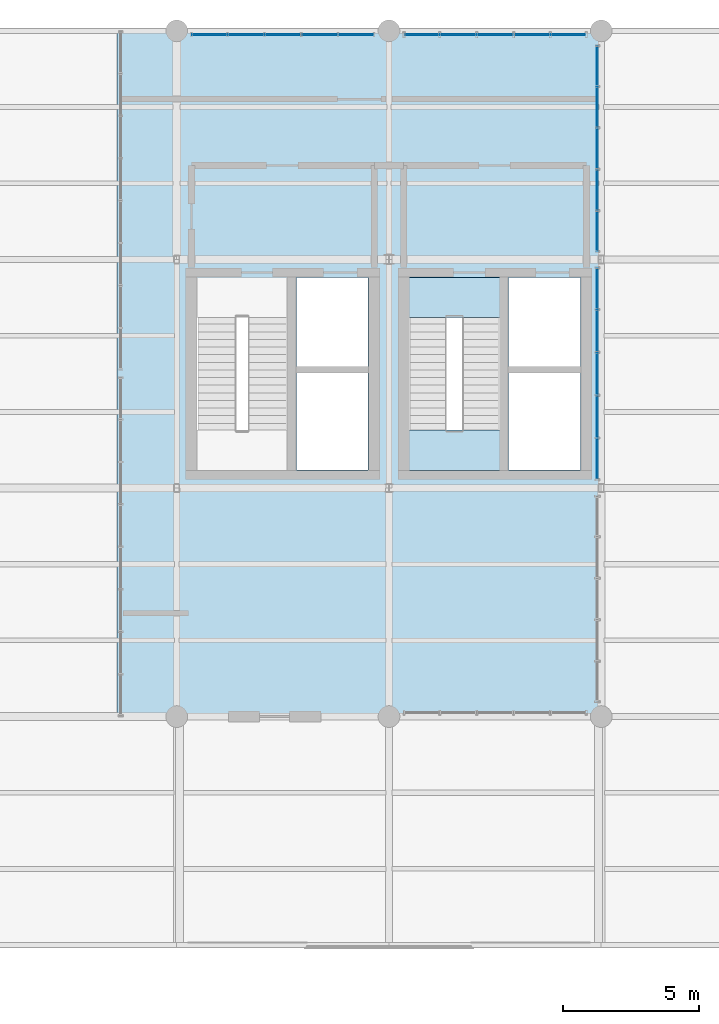
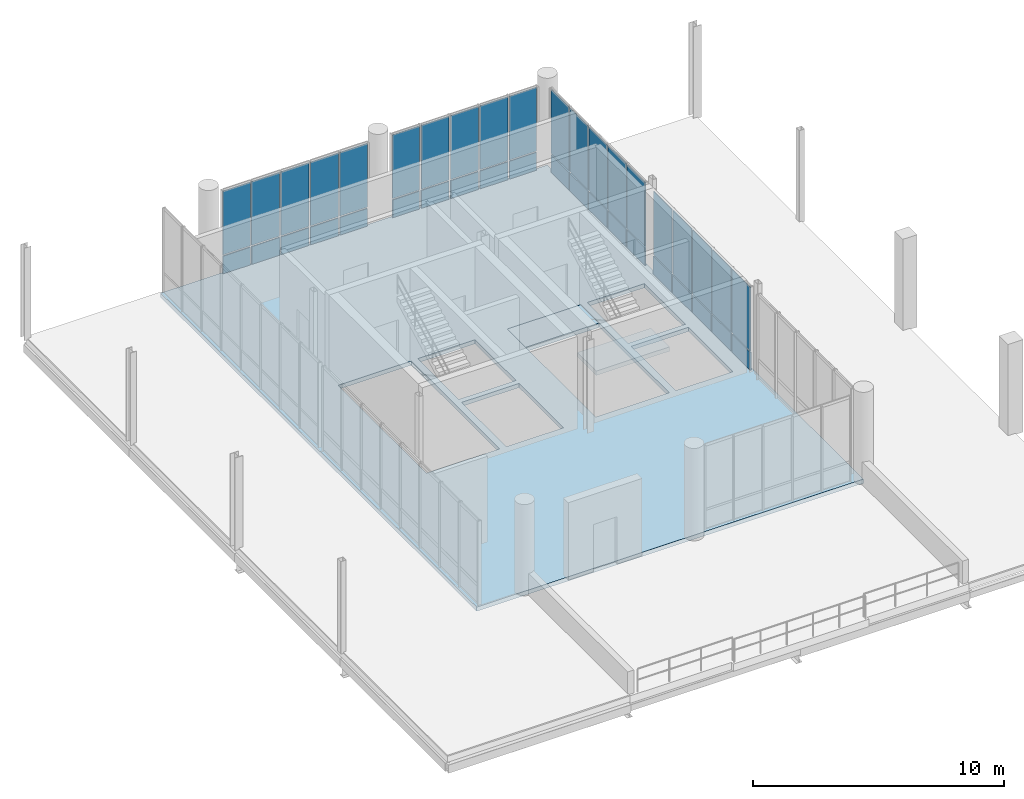
# One storey, part 56 of 68: 40 plates, 3 slabs, 5 elements without a shape of their own.
"""IFC4 building model written with IfcOpenShell, lengths in metres."""

from ifc_helpers import new_model, si_unit, direction, frame, frame_2d, origin_with_axes, place, context, subcontext, project, spatial, polyline, rectangle, outline, extrude, material, layer, layer_set, type_object, element, aggregate, save


model = new_model("IFC4")

# Units and contexts
model_context = context("Model", 3, precision=1e-05, world=origin_with_axes(), true_north=direction((0.0, 1.0)))
body_context = subcontext(model_context, "Body", "Model", "MODEL_VIEW")
ifc_project = project(units=[si_unit("LENGTHUNIT", "METRE"), si_unit("AREAUNIT", "SQUARE_METRE"), si_unit("VOLUMEUNIT", "CUBIC_METRE"), si_unit("PLANEANGLEUNIT", "RADIAN"), si_unit("MASSUNIT", "GRAM", prefix="KILO"), si_unit("THERMODYNAMICTEMPERATUREUNIT", "KELVIN")], contexts=[model_context])

# Site, building, storey
site_placement = place(None, origin_with_axes())
site = spatial("IfcSite", under=ifc_project, at=site_placement, CompositionType="ELEMENT")
building_placement = place(site_placement, origin_with_axes())
building = spatial("IfcBuilding", under=site, at=building_placement, Name="Montbau Bow Law Courts", CompositionType="ELEMENT")
storey_placement = place(building_placement, frame((0.0, 0.0, 20.4), z_axis=(0.0, 0.0, 1.0), x_axis=(1.0, 0.0, 0.0)))
storey = spatial("IfcBuildingStorey", under=building, at=storey_placement, Name="L04", CompositionType="ELEMENT", Elevation=20.4)

# Curtain wall, plates
ifc_material_1 = material(Name="Thermally Broken Extruded Aluminium AA 6063-T6", Category="aluminium")
curtain_wall_type = type_object("IfcCurtainWallType", Name="CW-NCK-01", PredefinedType="NOTDEFINED", material=ifc_material_1)
curtain_wall_1_placement = place(None, frame((147.515, 103.06, 20.4), z_axis=(0.0, 0.0, 1.0), x_axis=(1.0, 0.0, 0.0)))
curtain_wall_1 = element("IfcCurtainWall", 1, at=curtain_wall_1_placement, inside=storey, type_object=curtain_wall_type, Name="CW-L04-326:cw_0326", PredefinedType="NOTDEFINED")
ifc_material_2 = material(Name="Insulated Ceramic-Frit Spandrel Glazing Unit", Category="glass")
ifc_layer_1 = layer(ifc_material_2, 0.056, Name="Curtain Panel", Category="glass")
ifc_layer_set_1 = layer_set([ifc_layer_1], Name="Insulated Ceramic-Frit Spandrel Glazing Unit")
plate_type_1 = type_object("IfcPlateType", Name="PL-CWP-02", PredefinedType="CURTAIN_PANEL", material=ifc_layer_set_1)
plate_1_placement = place(None, frame((147.577, 103.06, 20.462), z_axis=(0.0, -1.0, 0.0), x_axis=(1.0, 0.0, 0.0)))
plate_1 = element("IfcPlate", 2, at=plate_1_placement, type_object=plate_type_1, Name="CW-L04-326-P01-1:cw_0326_P01_1", PredefinedType="CURTAIN_PANEL", context=body_context, shape_type="SweptSolid", body=[
    extrude(rectangle(XDim=1.26, YDim=0.856, at=frame_2d((0.63, 0.428), x_axis=(1.0, 0.0))), frame((0.0, 0.0, -0.028), z_axis=(0.0, 0.0, 1.0), x_axis=(1.0, 0.0, 0.0)), (0.0, 0.0, 1.0), 0.056),
])
plate_2_placement = place(None, frame((148.901, 103.06, 20.462), z_axis=(0.0, -1.0, 0.0), x_axis=(1.0, 0.0, 0.0)))
plate_2 = element("IfcPlate", 3, at=plate_2_placement, type_object=plate_type_1, Name="CW-L04-326-P02-1:cw_0326_P02_1", PredefinedType="CURTAIN_PANEL", context=body_context, shape_type="SweptSolid", body=[
    extrude(rectangle(XDim=1.29, YDim=0.856, at=frame_2d((0.645, 0.428), x_axis=(1.0, 0.0))), frame((0.0, 0.0, -0.028), z_axis=(0.0, 0.0, 1.0), x_axis=(1.0, 0.0, 0.0)), (0.0, 0.0, 1.0), 0.056),
])
plate_3_placement = place(None, frame((150.255, 103.06, 20.462), z_axis=(0.0, -1.0, 0.0), x_axis=(1.0, 0.0, 0.0)))
plate_3 = element("IfcPlate", 4, at=plate_3_placement, type_object=plate_type_1, Name="CW-L04-326-P03-1:cw_0326_P03_1", PredefinedType="CURTAIN_PANEL", context=body_context, shape_type="SweptSolid", body=[
    extrude(rectangle(XDim=1.29, YDim=0.856, at=frame_2d((0.645, 0.428), x_axis=(1.0, 0.0))), frame((0.0, 0.0, -0.028), z_axis=(0.0, 0.0, 1.0), x_axis=(1.0, 0.0, 0.0)), (0.0, 0.0, 1.0), 0.056),
])
plate_4_placement = place(None, frame((151.609, 103.06, 20.462), z_axis=(0.0, -1.0, 0.0), x_axis=(1.0, 0.0, 0.0)))
plate_4 = element("IfcPlate", 5, at=plate_4_placement, type_object=plate_type_1, Name="CW-L04-326-P04-1:cw_0326_P04_1", PredefinedType="CURTAIN_PANEL", context=body_context, shape_type="SweptSolid", body=[
    extrude(rectangle(XDim=1.29, YDim=0.856, at=frame_2d((0.645, 0.428), x_axis=(1.0, 0.0))), frame((0.0, 0.0, -0.028), z_axis=(0.0, 0.0, 1.0), x_axis=(1.0, 0.0, 0.0)), (0.0, 0.0, 1.0), 0.056),
])
plate_5_placement = place(None, frame((152.963, 103.06, 20.462), z_axis=(0.0, -1.0, 0.0), x_axis=(1.0, 0.0, 0.0)))
plate_5 = element("IfcPlate", 6, at=plate_5_placement, type_object=plate_type_1, Name="CW-L04-326-P05-1:cw_0326_P05_1", PredefinedType="CURTAIN_PANEL", context=body_context, shape_type="SweptSolid", body=[
    extrude(rectangle(XDim=1.26, YDim=0.856, at=frame_2d((0.63, 0.428), x_axis=(1.0, 0.0))), frame((0.0, 0.0, -0.028), z_axis=(0.0, 0.0, 1.0), x_axis=(1.0, 0.0, 0.0)), (0.0, 0.0, 1.0), 0.056),
])

curtain_wall_2_placement = place(None, frame((155.315, 103.06, 20.4), z_axis=(0.0, 0.0, 1.0), x_axis=(1.0, 0.0, 0.0)))
curtain_wall_2 = element("IfcCurtainWall", 7, at=curtain_wall_2_placement, inside=storey, type_object=curtain_wall_type, Name="CW-L04-327:cw_0327", PredefinedType="NOTDEFINED")
plate_6_placement = place(None, frame((155.391, 103.06, 20.456), z_axis=(0.0, -1.0, 0.0), x_axis=(1.0, 0.0, 0.0)))
plate_6 = element("IfcPlate", 8, at=plate_6_placement, type_object=plate_type_1, Name="CW-L04-327-P01-1:cw_0327_P01_1", PredefinedType="CURTAIN_PANEL", context=body_context, shape_type="SweptSolid", body=[
    extrude(rectangle(XDim=1.239, YDim=0.865, at=frame_2d((0.6195, 0.4325), x_axis=(1.0, 0.0))), frame((0.0, 0.0, -0.028), z_axis=(0.0, 0.0, 1.0), x_axis=(1.0, 0.0, 0.0)), (0.0, 0.0, 1.0), 0.056),
])
plate_7_placement = place(None, frame((156.709, 103.06, 20.456), z_axis=(0.0, -1.0, 0.0), x_axis=(1.0, 0.0, 0.0)))
plate_7 = element("IfcPlate", 9, at=plate_7_placement, type_object=plate_type_1, Name="CW-L04-327-P02-1:cw_0327_P02_1", PredefinedType="CURTAIN_PANEL", context=body_context, shape_type="SweptSolid", body=[
    extrude(rectangle(XDim=1.275, YDim=0.865, at=frame_2d((0.6375, 0.4325), x_axis=(1.0, 0.0))), frame((0.0, 0.0, -0.028), z_axis=(0.0, 0.0, 1.0), x_axis=(1.0, 0.0, 0.0)), (0.0, 0.0, 1.0), 0.056),
])
plate_8_placement = place(None, frame((158.063, 103.06, 20.456), z_axis=(0.0, -1.0, 0.0), x_axis=(1.0, 0.0, 0.0)))
plate_8 = element("IfcPlate", 10, at=plate_8_placement, type_object=plate_type_1, Name="CW-L04-327-P03-1:cw_0327_P03_1", PredefinedType="CURTAIN_PANEL", context=body_context, shape_type="SweptSolid", body=[
    extrude(rectangle(XDim=1.275, YDim=0.865, at=frame_2d((0.6375, 0.4325), x_axis=(1.0, 0.0))), frame((0.0, 0.0, -0.028), z_axis=(0.0, 0.0, 1.0), x_axis=(1.0, 0.0, 0.0)), (0.0, 0.0, 1.0), 0.056),
])
plate_9_placement = place(None, frame((159.416, 103.06, 20.456), z_axis=(0.0, -1.0, 0.0), x_axis=(1.0, 0.0, 0.0)))
plate_9 = element("IfcPlate", 11, at=plate_9_placement, type_object=plate_type_1, Name="CW-L04-327-P04-1:cw_0327_P04_1", PredefinedType="CURTAIN_PANEL", context=body_context, shape_type="SweptSolid", body=[
    extrude(rectangle(XDim=1.276, YDim=0.865, at=frame_2d((0.638, 0.4325), x_axis=(1.0, 0.0))), frame((0.0, 0.0, -0.028), z_axis=(0.0, 0.0, 1.0), x_axis=(1.0, 0.0, 0.0)), (0.0, 0.0, 1.0), 0.056),
])
plate_10_placement = place(None, frame((160.77, 103.06, 20.456), z_axis=(0.0, -1.0, 0.0), x_axis=(1.0, 0.0, 0.0)))
plate_10 = element("IfcPlate", 12, at=plate_10_placement, type_object=plate_type_1, Name="CW-L04-327-P05-1:cw_0327_P05_1", PredefinedType="CURTAIN_PANEL", context=body_context, shape_type="SweptSolid", body=[
    extrude(rectangle(XDim=1.239, YDim=0.865, at=frame_2d((0.6195, 0.4325), x_axis=(1.0, 0.0))), frame((0.0, 0.0, -0.028), z_axis=(0.0, 0.0, 1.0), x_axis=(1.0, 0.0, 0.0)), (0.0, 0.0, 1.0), 0.056),
])

curtain_wall_3_placement = place(None, frame((162.46, 86.668, 20.4), z_axis=(0.0, 0.0, 1.0), x_axis=(1.0, 0.0, 0.0)))
curtain_wall_3 = element("IfcCurtainWall", 13, at=curtain_wall_3_placement, inside=storey, type_object=curtain_wall_type, Name="CW-L04-331:cw_0331", PredefinedType="NOTDEFINED")
plate_11_placement = place(None, frame((162.46, 86.736, 20.456), z_axis=(1.0, 0.0, 0.0), x_axis=(0.0, 1.0, 0.0)))
plate_11 = element("IfcPlate", 14, at=plate_11_placement, type_object=plate_type_1, Name="CW-L04-331-P01-1:cw_0331_P01_1", PredefinedType="CURTAIN_PANEL", context=body_context, shape_type="SweptSolid", body=[
    extrude(rectangle(XDim=1.47, YDim=0.865, at=frame_2d((0.735, 0.4325), x_axis=(1.0, 0.0))), frame((0.0, 0.0, -0.028), z_axis=(0.0, 0.0, 1.0), x_axis=(1.0, 0.0, 0.0)), (0.0, 0.0, 1.0), 0.056),
])
plate_12_placement = place(None, frame((162.46, 88.275, 20.456), z_axis=(1.0, 0.0, 0.0), x_axis=(0.0, 1.0, 0.0)))
plate_12 = element("IfcPlate", 15, at=plate_12_placement, type_object=plate_type_1, Name="CW-L04-331-P02-1:cw_0331_P02_1", PredefinedType="CURTAIN_PANEL", context=body_context, shape_type="SweptSolid", body=[
    extrude(rectangle(XDim=1.504, YDim=0.865, at=frame_2d((0.752, 0.4325), x_axis=(1.0, 0.0))), frame((0.0, 0.0, -0.028), z_axis=(0.0, 0.0, 1.0), x_axis=(1.0, 0.0, 0.0)), (0.0, 0.0, 1.0), 0.056),
])
plate_13_placement = place(None, frame((162.46, 89.848, 20.456), z_axis=(1.0, 0.0, 0.0), x_axis=(0.0, 1.0, 0.0)))
plate_13 = element("IfcPlate", 16, at=plate_13_placement, type_object=plate_type_1, Name="CW-L04-331-P03-1:cw_0331_P03_1", PredefinedType="CURTAIN_PANEL", context=body_context, shape_type="SweptSolid", body=[
    extrude(rectangle(XDim=1.504, YDim=0.865, at=frame_2d((0.752, 0.4325), x_axis=(1.0, 0.0))), frame((0.0, 0.0, -0.028), z_axis=(0.0, 0.0, 1.0), x_axis=(1.0, 0.0, 0.0)), (0.0, 0.0, 1.0), 0.056),
])
plate_14_placement = place(None, frame((162.46, 91.42, 20.456), z_axis=(1.0, 0.0, 0.0), x_axis=(0.0, 1.0, 0.0)))
plate_14 = element("IfcPlate", 17, at=plate_14_placement, type_object=plate_type_1, Name="CW-L04-331-P04-1:cw_0331_P04_1", PredefinedType="CURTAIN_PANEL", context=body_context, shape_type="SweptSolid", body=[
    extrude(rectangle(XDim=1.505, YDim=0.865, at=frame_2d((0.7525, 0.4325), x_axis=(1.0, 0.0))), frame((0.0, 0.0, -0.028), z_axis=(0.0, 0.0, 1.0), x_axis=(1.0, 0.0, 0.0)), (0.0, 0.0, 1.0), 0.056),
])
plate_15_placement = place(None, frame((162.46, 92.993, 20.456), z_axis=(1.0, 0.0, 0.0), x_axis=(0.0, 1.0, 0.0)))
plate_15 = element("IfcPlate", 18, at=plate_15_placement, type_object=plate_type_1, Name="CW-L04-331-P05-1:cw_0331_P05_1", PredefinedType="CURTAIN_PANEL", context=body_context, shape_type="SweptSolid", body=[
    extrude(rectangle(XDim=1.472, YDim=0.865, at=frame_2d((0.736, 0.4325), x_axis=(1.0, 0.0))), frame((0.0, 0.0, -0.028), z_axis=(0.0, 0.0, 1.0), x_axis=(1.0, 0.0, 0.0)), (0.0, 0.0, 1.0), 0.056),
])

curtain_wall_4_placement = place(None, frame((162.46, 95.067, 20.4), z_axis=(0.0, 0.0, 1.0), x_axis=(1.0, 0.0, 0.0)))
curtain_wall_4 = element("IfcCurtainWall", 19, at=curtain_wall_4_placement, inside=storey, type_object=curtain_wall_type, Name="CW-L04-332:cw_0332", PredefinedType="NOTDEFINED")
plate_16_placement = place(None, frame((162.46, 95.129, 20.462), z_axis=(1.0, 0.0, 0.0), x_axis=(0.0, 1.0, 0.0)))
plate_16 = element("IfcPlate", 20, at=plate_16_placement, type_object=plate_type_1, Name="CW-L04-332-P01-1:cw_0332_P01_1", PredefinedType="CURTAIN_PANEL", context=body_context, shape_type="SweptSolid", body=[
    extrude(rectangle(XDim=1.43, YDim=0.856, at=frame_2d((0.715, 0.428), x_axis=(1.0, 0.0))), frame((0.0, 0.0, -0.028), z_axis=(0.0, 0.0, 1.0), x_axis=(1.0, 0.0, 0.0)), (0.0, 0.0, 1.0), 0.056),
])
plate_17_placement = place(None, frame((162.46, 96.623, 20.462), z_axis=(1.0, 0.0, 0.0), x_axis=(0.0, 1.0, 0.0)))
plate_17 = element("IfcPlate", 21, at=plate_17_placement, type_object=plate_type_1, Name="CW-L04-332-P02-1:cw_0332_P02_1", PredefinedType="CURTAIN_PANEL", context=body_context, shape_type="SweptSolid", body=[
    extrude(rectangle(XDim=1.459, YDim=0.856, at=frame_2d((0.7295, 0.428), x_axis=(1.0, 0.0))), frame((0.0, 0.0, -0.028), z_axis=(0.0, 0.0, 1.0), x_axis=(1.0, 0.0, 0.0)), (0.0, 0.0, 1.0), 0.056),
])
plate_18_placement = place(None, frame((162.46, 98.146, 20.462), z_axis=(1.0, 0.0, 0.0), x_axis=(0.0, 1.0, 0.0)))
plate_18 = element("IfcPlate", 22, at=plate_18_placement, type_object=plate_type_1, Name="CW-L04-332-P03-1:cw_0332_P03_1", PredefinedType="CURTAIN_PANEL", context=body_context, shape_type="SweptSolid", body=[
    extrude(rectangle(XDim=1.46, YDim=0.856, at=frame_2d((0.73, 0.428), x_axis=(1.0, 0.0))), frame((0.0, 0.0, -0.028), z_axis=(0.0, 0.0, 1.0), x_axis=(1.0, 0.0, 0.0)), (0.0, 0.0, 1.0), 0.056),
])
plate_19_placement = place(None, frame((162.46, 99.67, 20.462), z_axis=(1.0, 0.0, 0.0), x_axis=(0.0, 1.0, 0.0)))
plate_19 = element("IfcPlate", 23, at=plate_19_placement, type_object=plate_type_1, Name="CW-L04-332-P04-1:cw_0332_P04_1", PredefinedType="CURTAIN_PANEL", context=body_context, shape_type="SweptSolid", body=[
    extrude(rectangle(XDim=1.459, YDim=0.856, at=frame_2d((0.7295, 0.428), x_axis=(1.0, 0.0))), frame((0.0, 0.0, -0.028), z_axis=(0.0, 0.0, 1.0), x_axis=(1.0, 0.0, 0.0)), (0.0, 0.0, 1.0), 0.056),
])
plate_20_placement = place(None, frame((162.46, 101.193, 20.462), z_axis=(1.0, 0.0, 0.0), x_axis=(0.0, 1.0, 0.0)))
plate_20 = element("IfcPlate", 24, at=plate_20_placement, type_object=plate_type_1, Name="CW-L04-332-P05-1:cw_0332_P05_1", PredefinedType="CURTAIN_PANEL", context=body_context, shape_type="SweptSolid", body=[
    extrude(rectangle(XDim=1.43, YDim=0.856, at=frame_2d((0.715, 0.428), x_axis=(1.0, 0.0))), frame((0.0, 0.0, -0.028), z_axis=(0.0, 0.0, 1.0), x_axis=(1.0, 0.0, 0.0)), (0.0, 0.0, 1.0), 0.056),
])

# Plate
ifc_material_3 = material(Name="Triple-Glazed Winter-Garden Vision Unit", Category="glass")
ifc_layer_2 = layer(ifc_material_3, 0.036, Name="Curtain Panel", Category="glass")
ifc_layer_set_2 = layer_set([ifc_layer_2], Name="Triple-Glazed Winter-Garden Vision Unit")
plate_type_2 = type_object("IfcPlateType", Name="PL-CWP-03", PredefinedType="CURTAIN_PANEL", material=ifc_layer_set_2)
plate_21_placement = place(None, frame((147.577, 103.06, 21.382), z_axis=(0.0, -1.0, 0.0), x_axis=(1.0, 0.0, 0.0)))
plate_21 = element("IfcPlate", 25, at=plate_21_placement, type_object=plate_type_2, Name="CW-L04-326-P01-2:cw_0326_P01_2", PredefinedType="CURTAIN_PANEL", context=body_context, shape_type="SweptSolid", body=[
    extrude(rectangle(XDim=1.26, YDim=3.096, at=frame_2d((0.63, 1.548), x_axis=(1.0, 0.0))), frame((0.0, 0.0, -0.018), z_axis=(0.0, 0.0, 1.0), x_axis=(1.0, 0.0, 0.0)), (0.0, 0.0, 1.0), 0.036),
])

plate_22_placement = place(None, frame((148.901, 103.06, 21.382), z_axis=(0.0, -1.0, 0.0), x_axis=(1.0, 0.0, 0.0)))
plate_22 = element("IfcPlate", 26, at=plate_22_placement, type_object=plate_type_2, Name="CW-L04-326-P02-2:cw_0326_P02_2", PredefinedType="CURTAIN_PANEL", context=body_context, shape_type="SweptSolid", body=[
    extrude(rectangle(XDim=1.29, YDim=3.096, at=frame_2d((0.645, 1.548), x_axis=(1.0, 0.0))), frame((0.0, 0.0, -0.018), z_axis=(0.0, 0.0, 1.0), x_axis=(1.0, 0.0, 0.0)), (0.0, 0.0, 1.0), 0.036),
])

plate_23_placement = place(None, frame((150.255, 103.06, 21.382), z_axis=(0.0, -1.0, 0.0), x_axis=(1.0, 0.0, 0.0)))
plate_23 = element("IfcPlate", 27, at=plate_23_placement, type_object=plate_type_2, Name="CW-L04-326-P03-2:cw_0326_P03_2", PredefinedType="CURTAIN_PANEL", context=body_context, shape_type="SweptSolid", body=[
    extrude(rectangle(XDim=1.29, YDim=3.096, at=frame_2d((0.645, 1.548), x_axis=(1.0, 0.0))), frame((0.0, 0.0, -0.018), z_axis=(0.0, 0.0, 1.0), x_axis=(1.0, 0.0, 0.0)), (0.0, 0.0, 1.0), 0.036),
])

plate_24_placement = place(None, frame((151.609, 103.06, 21.382), z_axis=(0.0, -1.0, 0.0), x_axis=(1.0, 0.0, 0.0)))
plate_24 = element("IfcPlate", 28, at=plate_24_placement, type_object=plate_type_2, Name="CW-L04-326-P04-2:cw_0326_P04_2", PredefinedType="CURTAIN_PANEL", context=body_context, shape_type="SweptSolid", body=[
    extrude(rectangle(XDim=1.29, YDim=3.096, at=frame_2d((0.645, 1.548), x_axis=(1.0, 0.0))), frame((0.0, 0.0, -0.018), z_axis=(0.0, 0.0, 1.0), x_axis=(1.0, 0.0, 0.0)), (0.0, 0.0, 1.0), 0.036),
])

plate_25_placement = place(None, frame((152.963, 103.06, 21.382), z_axis=(0.0, -1.0, 0.0), x_axis=(1.0, 0.0, 0.0)))
plate_25 = element("IfcPlate", 29, at=plate_25_placement, type_object=plate_type_2, Name="CW-L04-326-P05-2:cw_0326_P05_2", PredefinedType="CURTAIN_PANEL", context=body_context, shape_type="SweptSolid", body=[
    extrude(rectangle(XDim=1.26, YDim=3.096, at=frame_2d((0.63, 1.548), x_axis=(1.0, 0.0))), frame((0.0, 0.0, -0.018), z_axis=(0.0, 0.0, 1.0), x_axis=(1.0, 0.0, 0.0)), (0.0, 0.0, 1.0), 0.036),
])

aggregate(curtain_wall_1, [plate_1, plate_21, plate_2, plate_22, plate_3, plate_23, plate_4, plate_24, plate_5, plate_25])

plate_26_placement = place(None, frame((155.391, 103.06, 21.38), z_axis=(0.0, -1.0, 0.0), x_axis=(1.0, 0.0, 0.0)))
plate_26 = element("IfcPlate", 30, at=plate_26_placement, type_object=plate_type_2, Name="CW-L04-327-P01-2:cw_0327_P01_2", PredefinedType="CURTAIN_PANEL", context=body_context, shape_type="SweptSolid", body=[
    extrude(rectangle(XDim=1.239, YDim=3.103, at=frame_2d((0.6195, 1.5515), x_axis=(1.0, 0.0))), frame((0.0, 0.0, -0.018), z_axis=(0.0, 0.0, 1.0), x_axis=(1.0, 0.0, 0.0)), (0.0, 0.0, 1.0), 0.036),
])

plate_27_placement = place(None, frame((156.709, 103.06, 21.38), z_axis=(0.0, -1.0, 0.0), x_axis=(1.0, 0.0, 0.0)))
plate_27 = element("IfcPlate", 31, at=plate_27_placement, type_object=plate_type_2, Name="CW-L04-327-P02-2:cw_0327_P02_2", PredefinedType="CURTAIN_PANEL", context=body_context, shape_type="SweptSolid", body=[
    extrude(rectangle(XDim=1.275, YDim=3.103, at=frame_2d((0.6375, 1.5515), x_axis=(1.0, 0.0))), frame((0.0, 0.0, -0.018), z_axis=(0.0, 0.0, 1.0), x_axis=(1.0, 0.0, 0.0)), (0.0, 0.0, 1.0), 0.036),
])

plate_28_placement = place(None, frame((158.063, 103.06, 21.38), z_axis=(0.0, -1.0, 0.0), x_axis=(1.0, 0.0, 0.0)))
plate_28 = element("IfcPlate", 32, at=plate_28_placement, type_object=plate_type_2, Name="CW-L04-327-P03-2:cw_0327_P03_2", PredefinedType="CURTAIN_PANEL", context=body_context, shape_type="SweptSolid", body=[
    extrude(rectangle(XDim=1.275, YDim=3.103, at=frame_2d((0.6375, 1.5515), x_axis=(1.0, 0.0))), frame((0.0, 0.0, -0.018), z_axis=(0.0, 0.0, 1.0), x_axis=(1.0, 0.0, 0.0)), (0.0, 0.0, 1.0), 0.036),
])

plate_29_placement = place(None, frame((159.416, 103.06, 21.38), z_axis=(0.0, -1.0, 0.0), x_axis=(1.0, 0.0, 0.0)))
plate_29 = element("IfcPlate", 33, at=plate_29_placement, type_object=plate_type_2, Name="CW-L04-327-P04-2:cw_0327_P04_2", PredefinedType="CURTAIN_PANEL", context=body_context, shape_type="SweptSolid", body=[
    extrude(rectangle(XDim=1.276, YDim=3.103, at=frame_2d((0.638, 1.5515), x_axis=(1.0, 0.0))), frame((0.0, 0.0, -0.018), z_axis=(0.0, 0.0, 1.0), x_axis=(1.0, 0.0, 0.0)), (0.0, 0.0, 1.0), 0.036),
])

plate_30_placement = place(None, frame((160.77, 103.06, 21.38), z_axis=(0.0, -1.0, 0.0), x_axis=(1.0, 0.0, 0.0)))
plate_30 = element("IfcPlate", 34, at=plate_30_placement, type_object=plate_type_2, Name="CW-L04-327-P05-2:cw_0327_P05_2", PredefinedType="CURTAIN_PANEL", context=body_context, shape_type="SweptSolid", body=[
    extrude(rectangle(XDim=1.239, YDim=3.103, at=frame_2d((0.6195, 1.5515), x_axis=(1.0, 0.0))), frame((0.0, 0.0, -0.018), z_axis=(0.0, 0.0, 1.0), x_axis=(1.0, 0.0, 0.0)), (0.0, 0.0, 1.0), 0.036),
])

aggregate(curtain_wall_2, [plate_6, plate_26, plate_7, plate_27, plate_8, plate_28, plate_9, plate_29, plate_10, plate_30])

plate_31_placement = place(None, frame((162.46, 86.736, 21.38), z_axis=(1.0, 0.0, 0.0), x_axis=(0.0, 1.0, 0.0)))
plate_31 = element("IfcPlate", 35, at=plate_31_placement, type_object=plate_type_2, Name="CW-L04-331-P01-2:cw_0331_P01_2", PredefinedType="CURTAIN_PANEL", context=body_context, shape_type="SweptSolid", body=[
    extrude(rectangle(XDim=1.47, YDim=3.103, at=frame_2d((0.735, 1.5515), x_axis=(1.0, 0.0))), frame((0.0, 0.0, -0.018), z_axis=(0.0, 0.0, 1.0), x_axis=(1.0, 0.0, 0.0)), (0.0, 0.0, 1.0), 0.036),
])

plate_32_placement = place(None, frame((162.46, 88.275, 21.38), z_axis=(1.0, 0.0, 0.0), x_axis=(0.0, 1.0, 0.0)))
plate_32 = element("IfcPlate", 36, at=plate_32_placement, type_object=plate_type_2, Name="CW-L04-331-P02-2:cw_0331_P02_2", PredefinedType="CURTAIN_PANEL", context=body_context, shape_type="SweptSolid", body=[
    extrude(rectangle(XDim=1.504, YDim=3.103, at=frame_2d((0.752, 1.5515), x_axis=(1.0, 0.0))), frame((0.0, 0.0, -0.018), z_axis=(0.0, 0.0, 1.0), x_axis=(1.0, 0.0, 0.0)), (0.0, 0.0, 1.0), 0.036),
])

plate_33_placement = place(None, frame((162.46, 89.848, 21.38), z_axis=(1.0, 0.0, 0.0), x_axis=(0.0, 1.0, 0.0)))
plate_33 = element("IfcPlate", 37, at=plate_33_placement, type_object=plate_type_2, Name="CW-L04-331-P03-2:cw_0331_P03_2", PredefinedType="CURTAIN_PANEL", context=body_context, shape_type="SweptSolid", body=[
    extrude(rectangle(XDim=1.504, YDim=3.103, at=frame_2d((0.752, 1.5515), x_axis=(1.0, 0.0))), frame((0.0, 0.0, -0.018), z_axis=(0.0, 0.0, 1.0), x_axis=(1.0, 0.0, 0.0)), (0.0, 0.0, 1.0), 0.036),
])

plate_34_placement = place(None, frame((162.46, 91.42, 21.38), z_axis=(1.0, 0.0, 0.0), x_axis=(0.0, 1.0, 0.0)))
plate_34 = element("IfcPlate", 38, at=plate_34_placement, type_object=plate_type_2, Name="CW-L04-331-P04-2:cw_0331_P04_2", PredefinedType="CURTAIN_PANEL", context=body_context, shape_type="SweptSolid", body=[
    extrude(rectangle(XDim=1.505, YDim=3.103, at=frame_2d((0.7525, 1.5515), x_axis=(1.0, 0.0))), frame((0.0, 0.0, -0.018), z_axis=(0.0, 0.0, 1.0), x_axis=(1.0, 0.0, 0.0)), (0.0, 0.0, 1.0), 0.036),
])

plate_35_placement = place(None, frame((162.46, 92.993, 21.38), z_axis=(1.0, 0.0, 0.0), x_axis=(0.0, 1.0, 0.0)))
plate_35 = element("IfcPlate", 39, at=plate_35_placement, type_object=plate_type_2, Name="CW-L04-331-P05-2:cw_0331_P05_2", PredefinedType="CURTAIN_PANEL", context=body_context, shape_type="SweptSolid", body=[
    extrude(rectangle(XDim=1.472, YDim=3.103, at=frame_2d((0.736, 1.5515), x_axis=(1.0, 0.0))), frame((0.0, 0.0, -0.018), z_axis=(0.0, 0.0, 1.0), x_axis=(1.0, 0.0, 0.0)), (0.0, 0.0, 1.0), 0.036),
])

aggregate(curtain_wall_3, [plate_11, plate_31, plate_12, plate_32, plate_13, plate_33, plate_14, plate_34, plate_15, plate_35])

plate_36_placement = place(None, frame((162.46, 95.129, 21.382), z_axis=(1.0, 0.0, 0.0), x_axis=(0.0, 1.0, 0.0)))
plate_36 = element("IfcPlate", 40, at=plate_36_placement, type_object=plate_type_2, Name="CW-L04-332-P01-2:cw_0332_P01_2", PredefinedType="CURTAIN_PANEL", context=body_context, shape_type="SweptSolid", body=[
    extrude(rectangle(XDim=1.43, YDim=3.096, at=frame_2d((0.715, 1.548), x_axis=(1.0, 0.0))), frame((0.0, 0.0, -0.018), z_axis=(0.0, 0.0, 1.0), x_axis=(1.0, 0.0, 0.0)), (0.0, 0.0, 1.0), 0.036),
])

plate_37_placement = place(None, frame((162.46, 96.623, 21.382), z_axis=(1.0, 0.0, 0.0), x_axis=(0.0, 1.0, 0.0)))
plate_37 = element("IfcPlate", 41, at=plate_37_placement, type_object=plate_type_2, Name="CW-L04-332-P02-2:cw_0332_P02_2", PredefinedType="CURTAIN_PANEL", context=body_context, shape_type="SweptSolid", body=[
    extrude(rectangle(XDim=1.459, YDim=3.096, at=frame_2d((0.7295, 1.548), x_axis=(1.0, 0.0))), frame((0.0, 0.0, -0.018), z_axis=(0.0, 0.0, 1.0), x_axis=(1.0, 0.0, 0.0)), (0.0, 0.0, 1.0), 0.036),
])

plate_38_placement = place(None, frame((162.46, 98.146, 21.382), z_axis=(1.0, 0.0, 0.0), x_axis=(0.0, 1.0, 0.0)))
plate_38 = element("IfcPlate", 42, at=plate_38_placement, type_object=plate_type_2, Name="CW-L04-332-P03-2:cw_0332_P03_2", PredefinedType="CURTAIN_PANEL", context=body_context, shape_type="SweptSolid", body=[
    extrude(rectangle(XDim=1.46, YDim=3.096, at=frame_2d((0.73, 1.548), x_axis=(1.0, 0.0))), frame((0.0, 0.0, -0.018), z_axis=(0.0, 0.0, 1.0), x_axis=(1.0, 0.0, 0.0)), (0.0, 0.0, 1.0), 0.036),
])

plate_39_placement = place(None, frame((162.46, 99.67, 21.382), z_axis=(1.0, 0.0, 0.0), x_axis=(0.0, 1.0, 0.0)))
plate_39 = element("IfcPlate", 43, at=plate_39_placement, type_object=plate_type_2, Name="CW-L04-332-P04-2:cw_0332_P04_2", PredefinedType="CURTAIN_PANEL", context=body_context, shape_type="SweptSolid", body=[
    extrude(rectangle(XDim=1.459, YDim=3.096, at=frame_2d((0.7295, 1.548), x_axis=(1.0, 0.0))), frame((0.0, 0.0, -0.018), z_axis=(0.0, 0.0, 1.0), x_axis=(1.0, 0.0, 0.0)), (0.0, 0.0, 1.0), 0.036),
])

plate_40_placement = place(None, frame((162.46, 101.193, 21.382), z_axis=(1.0, 0.0, 0.0), x_axis=(0.0, 1.0, 0.0)))
plate_40 = element("IfcPlate", 44, at=plate_40_placement, type_object=plate_type_2, Name="CW-L04-332-P05-2:cw_0332_P05_2", PredefinedType="CURTAIN_PANEL", context=body_context, shape_type="SweptSolid", body=[
    extrude(rectangle(XDim=1.43, YDim=3.096, at=frame_2d((0.715, 1.548), x_axis=(1.0, 0.0))), frame((0.0, 0.0, -0.018), z_axis=(0.0, 0.0, 1.0), x_axis=(1.0, 0.0, 0.0)), (0.0, 0.0, 1.0), 0.036),
])

aggregate(curtain_wall_4, [plate_16, plate_36, plate_17, plate_37, plate_18, plate_38, plate_19, plate_39, plate_20, plate_40])

# Slab
ifc_material_4 = material(Name="Concrete CSA A23.1 f'c 40 MPa", Category="concrete")
ifc_layer_3 = layer(ifc_material_4, 0.2, Name="Floor Slab", Category="concrete")
ifc_layer_set_3 = layer_set([ifc_layer_3], Name="Concrete CSA A23.1 f'c 40 MPa")
slab_type_1 = type_object("IfcSlabType", Name="SL-FLR-01", PredefinedType="FLOOR", material=ifc_layer_set_3)
slab_1_placement = place(None, frame((0.0, 0.0, 20.2), z_axis=(0.0, 0.0, 1.0), x_axis=(1.0, 0.0, 0.0)))
element("IfcSlab", 45, at=slab_1_placement, inside=storey, type_object=slab_type_1, Name="SL-V5-L04:slb_0029", PredefinedType="FLOOR", context=body_context, shape_type="SweptSolid", body=[
    extrude(outline(polyline([(144.8, 78.0), (162.6, 78.0), (162.6, 103.2), (144.8, 103.2), (144.8, 78.0)]), holes=[polyline([(147.72, 87.07), (151.1, 87.07), (151.1, 94.112), (147.72, 94.112), (147.72, 87.07)]), polyline([(151.4, 87.07), (154.035, 87.07), (154.035, 90.621), (151.4, 90.621), (151.4, 87.07)]), polyline([(151.4, 90.861), (154.035, 90.861), (154.035, 94.13), (151.4, 94.13), (151.4, 90.861)]), polyline([(155.52, 87.07), (158.9, 87.07), (158.9, 94.112), (155.52, 94.112), (155.52, 87.07)]), polyline([(159.2, 87.07), (161.835, 87.07), (161.835, 90.621), (159.2, 90.621), (159.2, 87.07)]), polyline([(159.2, 90.861), (161.835, 90.861), (161.835, 94.13), (159.2, 94.13), (159.2, 90.861)])]), origin_with_axes(), (0.0, 0.0, 1.0), 0.2),
])

# Stair, slabs
stair_type = type_object("IfcStairType", Name="ST-JUD-1500", PredefinedType="HALF_TURN_STAIR", material=ifc_material_4)
stair_placement = place(None, frame((156.25, 92.7, 20.4), z_axis=(0.0, 0.0, 1.0), x_axis=(1.0, 0.0, 0.0)))
stair = element("IfcStair", 46, at=stair_placement, inside=storey, type_object=stair_type, Name="ST-J2-L04:str_0049", PredefinedType="HALF_TURN_STAIR")
ifc_layer_4 = layer(ifc_material_4, 0.21, Name="Landing", Category="concrete")
ifc_layer_set_4 = layer_set([ifc_layer_4], Name="Concrete CSA A23.1 f'c 40 MPa")
slab_type_2 = type_object("IfcSlabType", Name="SL-LND-02", PredefinedType="LANDING", material=ifc_layer_set_4)
slab_2_placement = place(None, frame((0.0, 0.0, 20.19), z_axis=(0.0, 0.0, 1.0), x_axis=(1.0, 0.0, 0.0)))
slab_2 = element("IfcSlab", 47, at=slab_2_placement, type_object=slab_type_2, Name="ST-J2-L04-LB:str_0049_LB", PredefinedType="LANDING", context=body_context, shape_type="SweptSolid", body=[
    extrude(outline(polyline([(155.52, 92.66), (158.9, 92.66), (158.9, 94.13), (155.52, 94.13), (155.52, 92.66)])), origin_with_axes(), (0.0, 0.0, 1.0), 0.21),
])
slab_3_placement = place(None, frame((0.0, 0.0, 22.44), z_axis=(0.0, 0.0, 1.0), x_axis=(1.0, 0.0, 0.0)))
slab_3 = element("IfcSlab", 48, at=slab_3_placement, type_object=slab_type_2, Name="ST-J2-L04-LM:str_0049_LM", PredefinedType="LANDING", context=body_context, shape_type="SweptSolid", body=[
    extrude(outline(polyline([(155.52, 87.04), (158.9, 87.04), (158.9, 88.54), (155.52, 88.54), (155.52, 87.04)])), origin_with_axes(), (0.0, 0.0, 1.0), 0.21),
])
aggregate(stair, [slab_2, slab_3])

save(model, "model.ifc")
